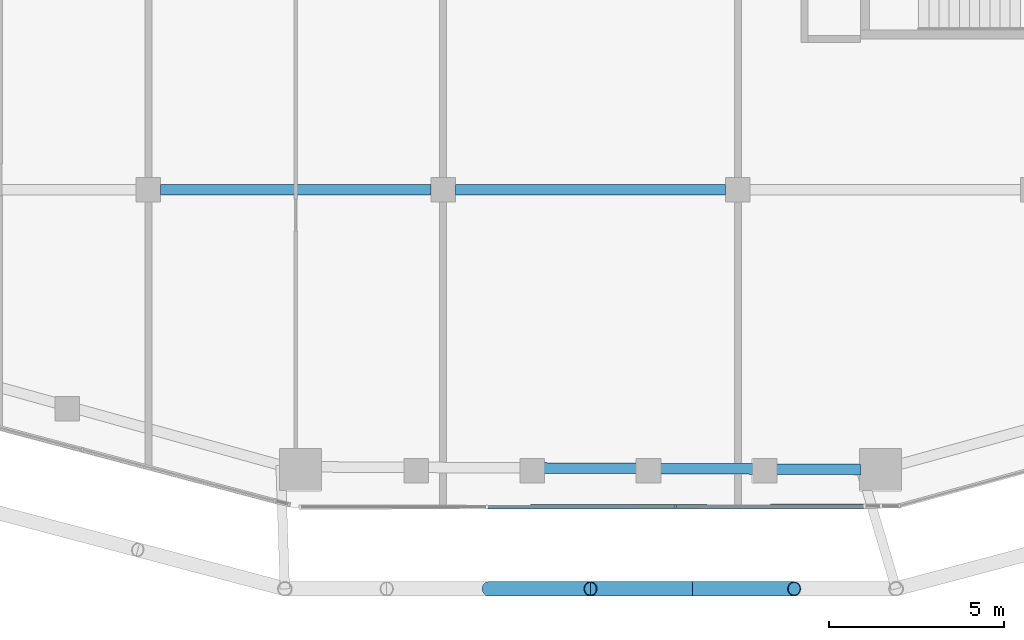
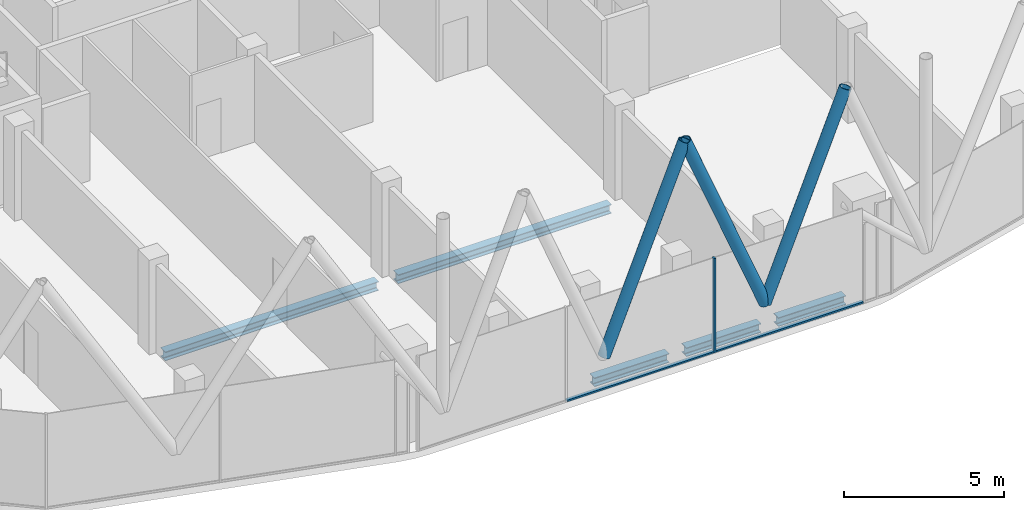
# One storey, part 3 of 27: 6 members, 5 beams, 1 element without a shape of its own.
"""IFC4 building model written with IfcOpenShell, lengths in metres."""

import ifcopenshell
import ifcopenshell.guid

model = None  # the IFC model being written
_history = None  # IfcOwnerHistory: only IFC2X3 demands one
_inside = {}  # id of a spatial element -> (the spatial element, [elements in it])
_under = {}  # id of a project, library or spatial element -> (it, [spatial elements below it])
_declared = {}  # id of a project -> (the project, [libraries it declares])
_typed = {}  # id of a type object -> (the type object, [elements of that type])
_made_of = {}  # id of a material, layer set ... -> (it, [elements and type objects made of it])


def new_model(schema):
    """Start an empty IFC model of exactly this schema.

    Asked for "IFC4X3", IfcOpenShell would pick the latest addendum, in which some entities
    have other attributes; the version numbers below select the first issue.
    IFC2X3 requires an IfcOwnerHistory on every rooted entity: one is made here for all.
    """
    global model, _history
    if schema == "IFC4X3":
        model = ifcopenshell.file(schema_version=(4, 3, 0, 0))
    else:
        model = ifcopenshell.file(schema=schema)
    _inside.clear()
    _under.clear()
    _declared.clear()
    _typed.clear()
    _made_of.clear()
    _history = None
    if model.schema == "IFC2X3":
        org = make("IfcOrganization", Name="unknown")
        user = make(
            "IfcPersonAndOrganization",
            ThePerson=make("IfcPerson", FamilyName="unknown"),
            TheOrganization=org,
        )
        app = make(
            "IfcApplication",
            ApplicationDeveloper=org,
            Version="unknown",
            ApplicationFullName="unknown",
            ApplicationIdentifier="unknown",
        )
        _history = make(
            "IfcOwnerHistory",
            OwningUser=user,
            OwningApplication=app,
            ChangeAction="ADDED",
            CreationDate=0,
        )
    return model


def make(cls, **values):
    """One entity of the class cls with the attributes given. An attribute that is None is left unset."""
    return model.create_entity(
        cls, **{name: value for name, value in values.items() if value is not None}
    )


def rooted(cls, **values):
    """An entity with a GlobalId (a new one), such as an element, a storey or a relation."""
    return make(cls, GlobalId=ifcopenshell.guid.new(), OwnerHistory=_history, **values)


def si_unit(unit_type, name, prefix=None):
    """IfcSIUnit, for example si_unit("LENGTHUNIT", "METRE", prefix="MILLI")."""
    return make("IfcSIUnit", UnitType=unit_type, Prefix=prefix, Name=name)


def assignment(units):
    """IfcUnitAssignment: the units of a project."""
    return None if units is None else make("IfcUnitAssignment", Units=units)


def point(xyz):
    """IfcCartesianPoint."""
    return None if xyz is None else make("IfcCartesianPoint", Coordinates=xyz)


def direction(xyz):
    """IfcDirection."""
    return None if xyz is None else make("IfcDirection", DirectionRatios=xyz)


def frame(location, z_axis=None, x_axis=None):
    """IfcAxis2Placement3D, a coordinate frame: its origin and axes. An axis left out is left unset."""
    return make(
        "IfcAxis2Placement3D",
        Location=point(location),
        Axis=direction(z_axis),
        RefDirection=direction(x_axis),
    )


def frame_2d(location, x_axis=None):
    """IfcAxis2Placement2D, a coordinate frame in the plane: its origin and x axis."""
    return make(
        "IfcAxis2Placement2D", Location=point(location), RefDirection=direction(x_axis)
    )


def origin():
    """The frame at (0, 0, 0) with its axes left unset."""
    return frame((0.0, 0.0, 0.0))


def origin_2d():
    """The frame at (0, 0) in the plane with its x axis left unset."""
    return frame_2d((0.0, 0.0))


def place(relative_to, where):
    """IfcLocalPlacement: puts the frame where relative to a parent placement (None: the world)."""
    return make(
        "IfcLocalPlacement", PlacementRelTo=relative_to, RelativePlacement=where
    )


def context(
    kind, dimensions, precision=None, world=None, true_north=None, identifier=None
):
    """IfcGeometricRepresentationContext, for example the 3D "Model" context."""
    return make(
        "IfcGeometricRepresentationContext",
        ContextIdentifier=identifier,
        ContextType=kind,
        CoordinateSpaceDimension=dimensions,
        Precision=precision,
        WorldCoordinateSystem=world,
        TrueNorth=true_north,
    )


def subcontext(parent, identifier, kind, view, scale=None):
    """IfcGeometricRepresentationSubContext, for example "Body" below "Model"."""
    return make(
        "IfcGeometricRepresentationSubContext",
        ContextIdentifier=identifier,
        ContextType=kind,
        ParentContext=parent,
        TargetScale=scale,
        TargetView=view,
    )


def project(units=None, contexts=None):
    """IfcProject with its units and contexts."""
    return rooted(
        "IfcProject",
        Name="project",
        RepresentationContexts=contexts,
        UnitsInContext=assignment(units),
    )


def spatial(cls, under=None, at=None, **own):
    """A site, building, storey or space (cls), placed at a placement, below another one or the project."""
    s = rooted(cls, ObjectPlacement=at, **own)
    if under is not None:
        _under.setdefault(under.id(), (under, []))[1].append(s)
    return s


def profile(cls, at=None, kind="AREA", **sizes):
    """A parametric profile (cls). Its sizes go by their IFC names, for example OverallWidth=200.0."""
    return make(cls, ProfileType=kind, Position=at, **sizes)


def rectangle(**sizes):
    """IfcRectangleProfileDef."""
    return profile("IfcRectangleProfileDef", **sizes)


def hollow_circle(**sizes):
    """IfcCircleHollowProfileDef."""
    return profile("IfcCircleHollowProfileDef", **sizes)


def i_section(**sizes):
    """IfcIShapeProfileDef."""
    return profile("IfcIShapeProfileDef", **sizes)


def extrude(swept, where, along, depth):
    """IfcExtrudedAreaSolid: the profile swept, set in the frame where, extruded along a direction by depth."""
    return make(
        "IfcExtrudedAreaSolid",
        SweptArea=swept,
        Position=where,
        ExtrudedDirection=direction(along),
        Depth=depth,
    )


def shape(context_of_items, identifier, shape_type, items):
    """IfcShapeRepresentation: the items that make up one representation, for example the "Body"."""
    return make(
        "IfcShapeRepresentation",
        ContextOfItems=context_of_items,
        RepresentationIdentifier=identifier,
        RepresentationType=shape_type,
        Items=items,
    )


def material(Name=None, Category=None):
    """IfcMaterial."""
    return make("IfcMaterial", Name=Name, Category=Category)


def layer(
    of_material, thickness, ventilated=None, Name=None, Category=None, Priority=None
):
    """IfcMaterialLayer: one layer of a wall or slab, of a material (None: an air gap)."""
    return make(
        "IfcMaterialLayer",
        Material=of_material,
        LayerThickness=thickness,
        IsVentilated=ventilated,
        Name=Name,
        Category=Category,
        Priority=Priority,
    )


def layer_set(layers, Name=None):
    """IfcMaterialLayerSet."""
    return make("IfcMaterialLayerSet", MaterialLayers=layers, LayerSetName=Name)


def material_profile(
    of_material, cross_section, Name=None, Category=None, Priority=None
):
    """IfcMaterialProfile: a cross section and its material."""
    return make(
        "IfcMaterialProfile",
        Name=Name,
        Material=of_material,
        Profile=cross_section,
        Priority=Priority,
        Category=Category,
    )


def profile_set(profiles, Name=None, composite=None):
    """IfcMaterialProfileSet."""
    return make(
        "IfcMaterialProfileSet",
        Name=Name,
        MaterialProfiles=profiles,
        CompositeProfile=composite,
    )


def made_of(thing, what):
    """Note that an element or type object is made of a material, layer set ...; save() writes the relation."""
    if what is not None:
        _made_of.setdefault(what.id(), (what, []))[1].append(thing)
    return thing


def type_object(cls, material=None, **own):
    """A type object (cls), such as IfcWallType, which elements share."""
    return made_of(rooted(cls, **own), material)


def element(
    cls,
    number,
    at=None,
    inside=None,
    cuts=None,
    type_object=None,
    material=None,
    context=None,
    identifier="Body",
    shape_type=None,
    held_by="IfcProductDefinitionShape",
    body=None,
    shapes=None,
    **own,
):
    """One element of the class cls, such as IfcWall. Its Tag is "e" and its number.

    at: its placement. inside: the storey or other place that contains it. cuts: it is an
    opening in that element (IfcRelVoidsElement). A single representation is given by context,
    identifier, shape_type and body (its items); several are given by shapes. held_by: the class
    of the entity that holds the representations. save() writes the other relations.
    """
    e = rooted(cls, Tag="e%d" % number, ObjectPlacement=at, **own)
    if body is not None:
        shapes = [shape(context, identifier, shape_type, body)]
    if shapes is not None:
        e.Representation = make(held_by, Representations=shapes)
    if inside is not None:
        _inside.setdefault(inside.id(), (inside, []))[1].append(e)
    if cuts is not None:
        rooted(
            "IfcRelVoidsElement", RelatingBuildingElement=cuts, RelatedOpeningElement=e
        )
    if type_object is not None:
        _typed.setdefault(type_object.id(), (type_object, []))[1].append(e)
    return made_of(e, material)


def aggregate(whole, parts):
    """IfcRelAggregates: a whole, such as a stair, and the parts it consists of."""
    return rooted("IfcRelAggregates", RelatingObject=whole, RelatedObjects=parts)


def save(model, path):
    """Write the relations noted so far, then the file.

    IfcRelAggregates (storeys below a building ...), IfcRelContainedInSpatialStructure (elements
    in a storey), IfcRelDefinesByType, IfcRelAssociatesMaterial and IfcRelDeclares: one each for
    every whole, place, type object, material and project.
    """
    for whole, parts in _under.values():
        aggregate(whole, parts)
    for where, things in _inside.values():
        rooted(
            "IfcRelContainedInSpatialStructure",
            RelatedElements=things,
            RelatingStructure=where,
        )
    for kind, things in _typed.values():
        rooted("IfcRelDefinesByType", RelatedObjects=things, RelatingType=kind)
    for what, things in _made_of.values():
        rooted("IfcRelAssociatesMaterial", RelatedObjects=things, RelatingMaterial=what)
    for by, libraries in _declared.values():
        rooted("IfcRelDeclares", RelatingContext=by, RelatedDefinitions=libraries)
    model.write(path)


model = new_model("IFC4")

# Units and contexts
model_context = context("Model", 3, precision=1e-05, world=origin(), true_north=direction((0.0, 1.0)))
body_context = subcontext(model_context, "Body", "Model", "MODEL_VIEW")
ifc_project = project(units=[si_unit("LENGTHUNIT", "METRE"), si_unit("AREAUNIT", "SQUARE_METRE"), si_unit("VOLUMEUNIT", "CUBIC_METRE"), si_unit("PLANEANGLEUNIT", "RADIAN"), si_unit("MASSUNIT", "GRAM", prefix="KILO")], contexts=[model_context])

# Site, building, storey
site_placement = place(None, origin())
site = spatial("IfcSite", under=ifc_project, at=site_placement, CompositionType="ELEMENT")
building_placement = place(site_placement, origin())
building = spatial("IfcBuilding", under=site, at=building_placement, Name="Marenta Gate Hotel Tower", CompositionType="ELEMENT")
storey_placement = place(building_placement, frame((0.0, 0.0, 270.5)))
storey = spatial("IfcBuildingStorey", under=building, at=storey_placement, Name="L62", CompositionType="ELEMENT", Elevation=270.5)

# Members
ifc_material_1 = material(Name="Steel S355J2W", Category="steel")
ifc_material_profile_1 = material_profile(ifc_material_1, hollow_circle(Radius=0.203125, WallThickness=0.02490234375, at=origin_2d()), Name="CHS 406.4x25")
ifc_profile_set_1 = profile_set([ifc_material_profile_1], Name="Steel S355J2W")
member_type_1 = type_object("IfcMemberType", Name="Diagrid diagonal Z4 CHS 406.4x25", PredefinedType="BRACE", material=ifc_profile_set_1)
for number, where, z_axis, x_axis, name in (
    (1, (2.903076171875, -36.570068359375, 3.139892578125), (0.373915980312, 0.0, 0.927462581276), (0.0, 1.0, 0.0), "L62-DG-16"),
    (2, (2.903076171875, -36.570068359375, 3.139892578125), (-0.373943030937, 0.0, 0.927451675083), (0.0, -1.0, 0.0), "L62-DG-17"),
    (3, (-2.903076171875, -36.570068359375, 3.139892578125), (0.373943030937, 0.0, 0.927451675083), (0.0, 1.0, 0.0), "L62-DG-18"),
):
    element("IfcMember", number, at=place(storey_placement, frame(where, z_axis=z_axis, x_axis=x_axis)), inside=storey, type_object=member_type_1, Name=name, PredefinedType="BRACE", context=body_context, shape_type="SweptSolid", body=[
        extrude(hollow_circle(Radius=0.203125, WallThickness=0.02490234375, at=origin_2d()), origin(), (0.0, 0.0, 1.0), 7.763427734375),
    ])

# Beams
ifc_material_2 = material(Name="Steel S355", Category="steel")
ifc_material_profile_2 = material_profile(ifc_material_2, i_section(OverallWidth=0.300048828125, OverallDepth=0.340087890625, WebThickness=0.011962890625, FlangeThickness=0.021484375, FilletRadius=0.027099609375, at=origin_2d()), Name="HEB 340")
ifc_profile_set_2 = profile_set([ifc_material_profile_2], Name="Steel S355")
beam_type_1 = type_object("IfcBeamType", Name="Edge beam HEB 340", PredefinedType="SPANDREL", material=ifc_profile_set_2)
beam_1_placement = place(storey_placement, frame((7.706298828125, -33.169921875, -0.429931640625), z_axis=(-0.999988431664, 0.004810045568, 0.0), x_axis=(-0.004810045568, -0.999988431664, 0.0)))
element("IfcBeam", 4, at=beam_1_placement, inside=storey, type_object=beam_type_1, Name="L62-EB-31", PredefinedType="SPANDREL", context=body_context, shape_type="SweptSolid", body=[
    extrude(i_section(OverallWidth=0.300048828125, OverallDepth=0.340087890625, WebThickness=0.011962890625, FlangeThickness=0.021484375, FilletRadius=0.027099609375, at=origin_2d()), origin(), (0.0, 0.0, 1.0), 2.436279296875),
])
beam_2_placement = place(storey_placement, frame((4.650146484375, -33.1552734375, -0.429931640625), z_axis=(-0.999988403309, 0.004815936881, 0.0), x_axis=(-0.004815936881, -0.999988403309, 0.0)))
element("IfcBeam", 5, at=beam_2_placement, inside=storey, type_object=beam_type_1, Name="L62-EB-32", PredefinedType="SPANDREL", context=body_context, shape_type="SweptSolid", body=[
    extrude(i_section(OverallWidth=0.300048828125, OverallDepth=0.340087890625, WebThickness=0.011962890625, FlangeThickness=0.021484375, FilletRadius=0.027099609375, at=origin_2d()), origin(), (0.0, 0.0, 1.0), 2.686767578125),
])
beam_3_placement = place(storey_placement, frame((1.343505859375, -33.139404296875, -0.429931640625), z_axis=(-0.999988405416, 0.004815499317, 0.0), x_axis=(-0.004815499317, -0.999988405416, 0.0)))
element("IfcBeam", 6, at=beam_3_placement, inside=storey, type_object=beam_type_1, Name="L62-EB-33", PredefinedType="SPANDREL", context=body_context, shape_type="SweptSolid", body=[
    extrude(i_section(OverallWidth=0.300048828125, OverallDepth=0.340087890625, WebThickness=0.011962890625, FlangeThickness=0.021484375, FilletRadius=0.027099609375, at=origin_2d()), origin(), (0.0, 0.0, 1.0), 2.68701171875),
])
ifc_material_3 = material(Name="Steel S355", Category="steel")
ifc_material_profile_3 = material_profile(ifc_material_3, i_section(OverallWidth=0.300048828125, OverallDepth=0.340087890625, WebThickness=0.011962890625, FlangeThickness=0.021484375, FilletRadius=0.027099609375, at=origin_2d()), Name="HEB 340")
ifc_profile_set_3 = profile_set([ifc_material_profile_3], Name="Steel S355")
beam_type_2 = type_object("IfcBeamType", Name="Girder HEB 340", PredefinedType="BEAM", material=ifc_profile_set_3)
beam_4_placement = place(storey_placement, frame((-12.25, -25.199951171875, -0.429931640625), z_axis=(1.0, 0.0, 0.0), x_axis=(0.0, 1.0, 0.0)))
element("IfcBeam", 7, at=beam_4_placement, inside=storey, type_object=beam_type_2, Name="L62-GD-2", PredefinedType="BEAM", context=body_context, shape_type="SweptSolid", body=[
    extrude(i_section(OverallWidth=0.300048828125, OverallDepth=0.340087890625, WebThickness=0.011962890625, FlangeThickness=0.021484375, FilletRadius=0.027099609375, at=origin_2d()), origin(), (0.0, 0.0, 1.0), 7.699951171875),
])
beam_5_placement = place(storey_placement, frame((-3.85009765625, -25.199951171875, -0.429931640625), z_axis=(1.0, 0.0, 0.0), x_axis=(0.0, 1.0, 0.0)))
element("IfcBeam", 8, at=beam_5_placement, inside=storey, type_object=beam_type_2, Name="L62-GD-3", PredefinedType="BEAM", context=body_context, shape_type="SweptSolid", body=[
    extrude(i_section(OverallWidth=0.300048828125, OverallDepth=0.340087890625, WebThickness=0.011962890625, FlangeThickness=0.021484375, FilletRadius=0.027099609375, at=origin_2d()), origin(), (0.0, 0.0, 1.0), 7.7001953125),
])

# Curtain wall, members
ifc_material_4 = material(Name="Tinted insulated glass in bronze anodised frame", Category="glass")
ifc_layer = layer(ifc_material_4, 0.1201171875)
ifc_layer_set = layer_set([ifc_layer], Name="Tinted insulated glass in bronze anodised frame")
curtain_wall_type = type_object("IfcCurtainWallType", Name="Tower unitised curtain wall CW1", PredefinedType="NOTDEFINED", material=ifc_layer_set)
curtain_wall_placement = place(storey_placement, origin())
curtain_wall = element("IfcCurtainWall", 9, at=curtain_wall_placement, inside=storey, type_object=curtain_wall_type, Name="CW1 run G10", PredefinedType="NOTDEFINED")
ifc_material_5 = material(Name="Bronze anodised aluminium", Category="aluminium")
ifc_material_profile_4 = material_profile(ifc_material_5, rectangle(XDim=0.1201171875, YDim=0.06005859375, at=origin_2d()), Name="Mullion CW1 60x120 bronze anodised aluminium")
ifc_profile_set_4 = profile_set([ifc_material_profile_4], Name="Bronze anodised aluminium")
member_type_2 = type_object("IfcMemberType", Name="Mullion CW1 60x120 bronze anodised aluminium", PredefinedType="MULLION", material=ifc_profile_set_4)
member_1_placement = place(storey_placement, frame((2.416748046875, -34.225341796875, 0.0), z_axis=(0.0, 0.0, 1.0), x_axis=(-0.002064133083, 0.999997869675, 0.0)))
member_1 = element("IfcMember", 10, at=member_1_placement, type_object=member_type_2, Name="CW1 mullion 3", PredefinedType="MULLION", context=body_context, shape_type="SweptSolid", body=[
    extrude(rectangle(XDim=0.1201171875, YDim=0.06005859375, at=origin_2d()), origin(), (0.0, 0.0, 1.0), 3.60009765625),
])
ifc_material_6 = material(Name="Bronze anodised aluminium", Category="aluminium")
ifc_material_profile_5 = material_profile(ifc_material_6, rectangle(XDim=0.1201171875, YDim=0.06005859375, at=origin_2d()), Name="Transom CW1 60x120 bronze anodised aluminium")
ifc_profile_set_5 = profile_set([ifc_material_profile_5], Name="Bronze anodised aluminium")
member_type_3 = type_object("IfcMemberType", Name="Transom CW1 60x120 bronze anodised aluminium", PredefinedType="USERDEFINED", material=ifc_profile_set_5)
member_2_placement = place(storey_placement, frame((-2.914794921875, -34.236328125, 0.030029296875), z_axis=(0.999997852793, 0.002072295804, 0.0), x_axis=(-0.002072295804, 0.999997852793, 0.0)))
member_2 = element("IfcMember", 11, at=member_2_placement, type_object=member_type_3, Name="CW1 transom 2.1", ObjectType="TRANSOM", PredefinedType="USERDEFINED", context=body_context, shape_type="SweptSolid", body=[
    extrude(rectangle(XDim=0.1201171875, YDim=0.06005859375, at=origin_2d()), origin(), (0.0, 0.0, 1.0), 5.301513671875),
])
member_3_placement = place(storey_placement, frame((2.44677734375, -34.22509765625, 0.030029296875), z_axis=(0.999997876718, 0.002060718251, 0.0), x_axis=(-0.002060718251, 0.999997876718, 0.0)))
member_3 = element("IfcMember", 12, at=member_3_placement, type_object=member_type_3, Name="CW1 transom 3.1", ObjectType="TRANSOM", PredefinedType="USERDEFINED", context=body_context, shape_type="SweptSolid", body=[
    extrude(rectangle(XDim=0.1201171875, YDim=0.06005859375, at=origin_2d()), origin(), (0.0, 0.0, 1.0), 5.331298828125),
])
aggregate(curtain_wall, [member_1, member_2, member_3])

save(model, "model.ifc")
